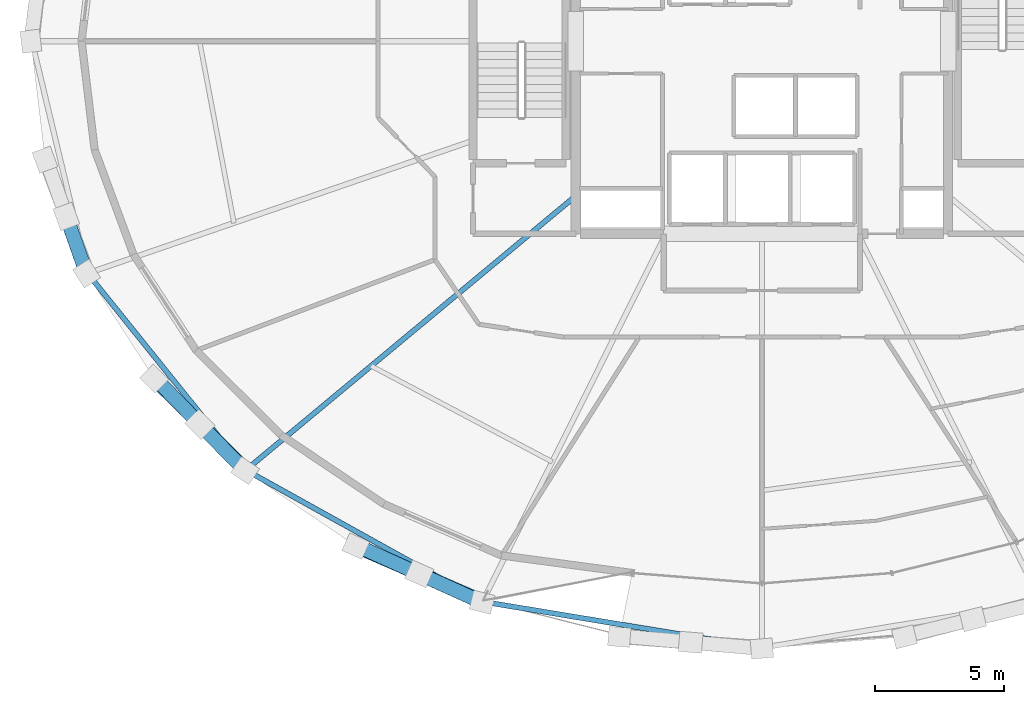
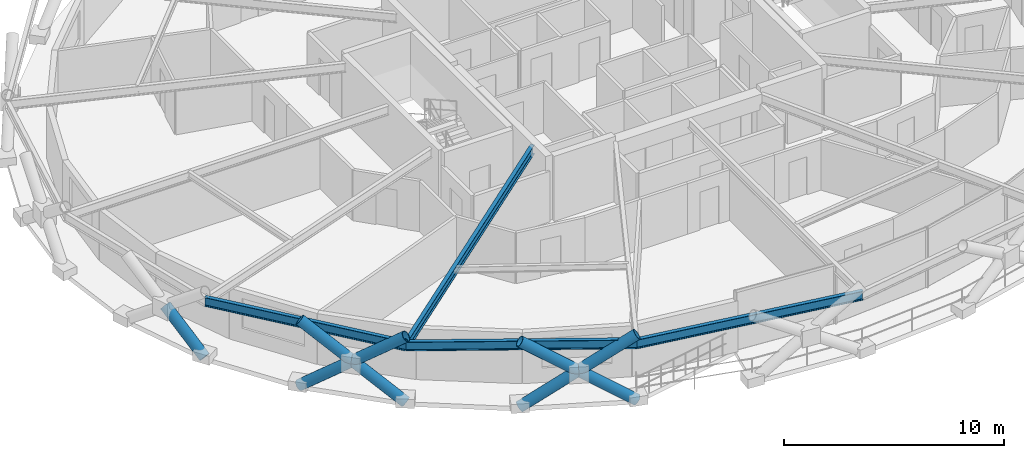
# One storey, part 1 of 20: 7 members, 4 beams.
"""IFC4 building model written with IfcOpenShell, lengths in metres."""

from ifc_helpers import new_model, si_unit, direction, frame, origin, origin_2d, place, context, subcontext, project, spatial, hollow_circle, i_section, extrude, material, material_profile, profile_set, type_object, element, save


model = new_model("IFC4")

# Units and contexts
model_context = context("Model", 3, precision=1e-05, world=origin(), true_north=direction((0.0, 1.0)))
body_context = subcontext(model_context, "Body", "Model", "MODEL_VIEW")
ifc_project = project(units=[si_unit("LENGTHUNIT", "METRE"), si_unit("AREAUNIT", "SQUARE_METRE"), si_unit("VOLUMEUNIT", "CUBIC_METRE"), si_unit("PLANEANGLEUNIT", "RADIAN"), si_unit("MASSUNIT", "GRAM", prefix="KILO")], contexts=[model_context])

# Site, building, storey
site_placement = place(None, origin())
site = spatial("IfcSite", under=ifc_project, at=site_placement, CompositionType="ELEMENT")
building_placement = place(site_placement, origin())
building = spatial("IfcBuilding", under=site, at=building_placement, Name="Veldorina Hangang Commons", CompositionType="ELEMENT")
storey_placement = place(building_placement, frame((0.0, 0.0, 153.199951171875)))
storey = spatial("IfcBuildingStorey", under=building, at=storey_placement, Name="L39", CompositionType="ELEMENT", Elevation=153.199951171875)

# Beams
ifc_material = material(Name="Steel SM420-TMC", Category="steel")
ifc_material_profile_1 = material_profile(ifc_material, i_section(OverallWidth=0.199951171875, OverallDepth=0.5, WebThickness=0.010009765625, FlangeThickness=0.01611328125, FilletRadius=0.01611328125, at=origin_2d()), Name="H-500x200x10x16")
ifc_profile_set_1 = profile_set([ifc_material_profile_1], Name="Steel SM420-TMC")
beam_type_1 = type_object("IfcBeamType", Name="BM-FG500", PredefinedType="BEAM", material=ifc_profile_set_1)
beam_1_placement = place(storey_placement, frame((24.800048828125, 18.0166015625, 3.10009765625), z_axis=(-0.769100409171, -0.639127968886, 0.0), x_axis=(0.639127968886, -0.769100409171, 0.0)))
element("IfcBeam", 1, at=beam_1_placement, inside=storey, type_object=beam_type_1, Name="L39 radial floor girder 11", PredefinedType="BEAM", context=body_context, shape_type="SweptSolid", body=[
    extrude(i_section(OverallWidth=0.199951171875, OverallDepth=0.5, WebThickness=0.010009765625, FlangeThickness=0.01611328125, FilletRadius=0.01611328125, at=origin_2d()), origin(), (0.0, 0.0, 1.0), 16.603271484375),
])
ifc_material_profile_2 = material_profile(ifc_material, i_section(OverallWidth=0.199951171875, OverallDepth=0.5, WebThickness=0.010009765625, FlangeThickness=0.01611328125, FilletRadius=0.01611328125, at=origin_2d()), Name="H-500x200x10x16")
ifc_profile_set_2 = profile_set([ifc_material_profile_2], Name="Steel SM420-TMC")
beam_type_2 = type_object("IfcBeamType", Name="BM-RB500", PredefinedType="BEAM", material=ifc_profile_set_2)
beam_2_placement = place(storey_placement, frame((5.908447265625, 15.018798828125, 3.10009765625), z_axis=(0.626631316579, -0.779315849372, 0.0), x_axis=(0.779315849372, 0.626631316579, 0.0)))
element("IfcBeam", 2, at=beam_2_placement, inside=storey, type_object=beam_type_2, Name="L39 perimeter hoop ring beam 18", PredefinedType="BEAM", context=body_context, shape_type="SweptSolid", body=[
    extrude(i_section(OverallWidth=0.199951171875, OverallDepth=0.5, WebThickness=0.010009765625, FlangeThickness=0.01611328125, FilletRadius=0.01611328125, at=origin_2d()), origin(), (0.0, 0.0, 1.0), 9.769775390625),
])
beam_3_placement = place(storey_placement, frame((12.030517578125, 7.405029296875, 3.10009765625), z_axis=(0.874264945245, -0.48544907613, 0.0), x_axis=(0.48544907613, 0.874264945245, 0.0)))
element("IfcBeam", 3, at=beam_3_placement, inside=storey, type_object=beam_type_2, Name="L39 perimeter hoop ring beam 20", PredefinedType="BEAM", context=body_context, shape_type="SweptSolid", body=[
    extrude(i_section(OverallWidth=0.199951171875, OverallDepth=0.5, WebThickness=0.010009765625, FlangeThickness=0.01611328125, FilletRadius=0.01611328125, at=origin_2d()), origin(), (0.0, 0.0, 1.0), 10.479736328125),
])
beam_4_placement = place(storey_placement, frame((21.192626953125, 2.317626953125, 3.10009765625), z_axis=(0.986612907573, -0.163079644989, 0.0), x_axis=(0.163079644989, 0.986612907573, 0.0)))
element("IfcBeam", 4, at=beam_4_placement, inside=storey, type_object=beam_type_2, Name="L39 perimeter hoop ring beam 22", PredefinedType="BEAM", context=body_context, shape_type="SweptSolid", body=[
    extrude(i_section(OverallWidth=0.199951171875, OverallDepth=0.5, WebThickness=0.010009765625, FlangeThickness=0.01611328125, FilletRadius=0.01611328125, at=origin_2d()), origin(), (0.0, 0.0, 1.0), 10.9541015625),
])

# Members
ifc_material_profile_3 = material_profile(ifc_material, hollow_circle(Radius=0.27490234375, WallThickness=0.028076171875, at=origin_2d()), Name="CHS-550x28")
ifc_profile_set_3 = profile_set([ifc_material_profile_3], Name="Steel SM420-TMC")
member_type = type_object("IfcMemberType", Name="DG-CHS550", PredefinedType="BRACE", material=ifc_profile_set_3)
member_1_placement = place(storey_placement, frame((5.8720703125, 15.00830078125, 0.0), z_axis=(-0.264914830847, 0.747246510708, 0.609461060801), x_axis=(-0.942521981685, -0.334144151588, 0.0)))
element("IfcMember", 5, at=member_1_placement, inside=storey, type_object=member_type, Name="L39 split perimeter diagrid lower brace 18", PredefinedType="BRACE", context=body_context, shape_type="SweptSolid", body=[
    extrude(hollow_circle(Radius=0.27490234375, WallThickness=0.028076171875, at=origin_2d()), origin(), (0.0, 0.0, 1.0), 2.95556640625),
])
member_2_placement = place(storey_placement, frame((8.485595703125, 10.946044921875, 0.0), z_axis=(0.575210249469, -0.573350648305, 0.583439973771), x_axis=(0.705961000098, 0.708250708676, 0.0)))
element("IfcMember", 6, at=member_2_placement, inside=storey, type_object=member_type, Name="L39 continuous perimeter diagrid brace 19", PredefinedType="BRACE", context=body_context, shape_type="SweptSolid", body=[
    extrude(hollow_circle(Radius=0.27490234375, WallThickness=0.028076171875, at=origin_2d()), origin(), (0.0, 0.0, 1.0), 6.17041015625),
])
member_3_placement = place(storey_placement, frame((12.002685546875, 7.385498046875, 0.0), z_axis=(-0.565474245476, 0.58141091448, 0.584978825452), x_axis=(-0.716863255814, -0.697213792508, 0.0)))
element("IfcMember", 7, at=member_3_placement, inside=storey, type_object=member_type, Name="L39 split perimeter diagrid lower brace 20", PredefinedType="BRACE", context=body_context, shape_type="SweptSolid", body=[
    extrude(hollow_circle(Radius=0.27490234375, WallThickness=0.028076171875, at=origin_2d()), origin(), (0.0, 0.0, 1.0), 3.0791015625),
])
member_4_placement = place(storey_placement, frame((10.261474609375, 9.17578125, 1.80126953125), z_axis=(-0.565269665838, 0.581547272453, 0.585041002654), x_axis=(-0.71707103424, -0.697000094587, 0.0)))
element("IfcMember", 8, at=member_4_placement, inside=storey, type_object=member_type, Name="L39 split perimeter diagrid upper brace 20", PredefinedType="BRACE", context=body_context, shape_type="SweptSolid", body=[
    extrude(hollow_circle(Radius=0.27490234375, WallThickness=0.028076171875, at=origin_2d()), origin(), (0.0, 0.0, 1.0), 3.07470703125),
])
member_5_placement = place(storey_placement, frame((16.2880859375, 4.46337890625, 0.0), z_axis=(0.760561008144, -0.331938960319, 0.557999533614), x_axis=(0.400002958915, 0.916513847609, 0.0)))
element("IfcMember", 9, at=member_5_placement, inside=storey, type_object=member_type, Name="L39 continuous perimeter diagrid brace 21", PredefinedType="BRACE", context=body_context, shape_type="SweptSolid", body=[
    extrude(hollow_circle(Radius=0.27490234375, WallThickness=0.028076171875, at=origin_2d()), origin(), (0.0, 0.0, 1.0), 6.451904296875),
])
member_6_placement = place(storey_placement, frame((21.177490234375, 2.292236328125, 0.0), z_axis=(-0.75552733476, 0.341313451932, 0.559181163811), x_axis=(-0.411694479572, -0.911321927471, 0.0)))
element("IfcMember", 10, at=member_6_placement, inside=storey, type_object=member_type, Name="L39 split perimeter diagrid lower brace 22", PredefinedType="BRACE", context=body_context, shape_type="SweptSolid", body=[
    extrude(hollow_circle(Radius=0.27490234375, WallThickness=0.028076171875, at=origin_2d()), origin(), (0.0, 0.0, 1.0), 3.2216796875),
])
member_7_placement = place(storey_placement, frame((18.743408203125, 3.391845703125, 1.801513671875), z_axis=(-0.755475784233, 0.341417670801, 0.559187190038), x_axis=(-0.411822208126, -0.911264214646, 0.0)))
element("IfcMember", 11, at=member_7_placement, inside=storey, type_object=member_type, Name="L39 split perimeter diagrid upper brace 22", PredefinedType="BRACE", context=body_context, shape_type="SweptSolid", body=[
    extrude(hollow_circle(Radius=0.27490234375, WallThickness=0.028076171875, at=origin_2d()), origin(), (0.0, 0.0, 1.0), 3.21630859375),
])

save(model, "model.ifc")
